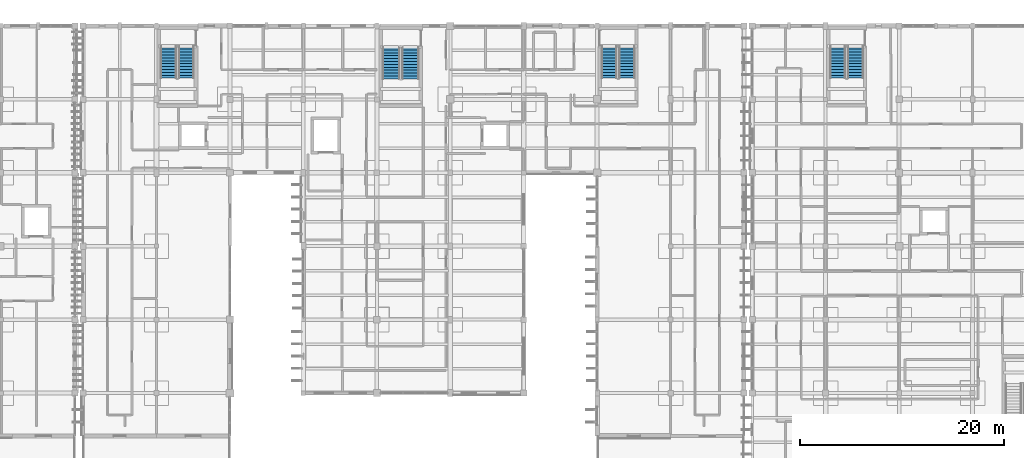
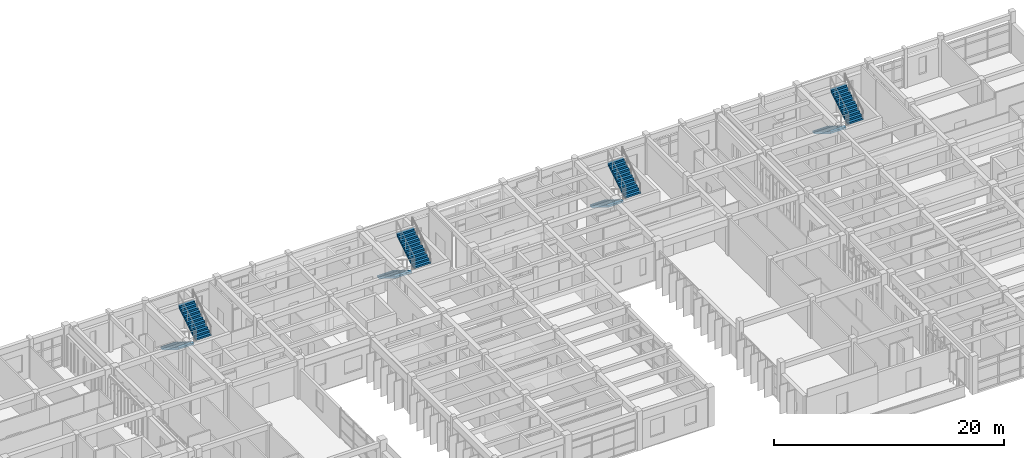
# One storey, part 44 of 55: 8 stair flights, 4 elements without a shape of their own.
"""IFC4 building model written with IfcOpenShell, lengths in metres."""

import ifcopenshell
import ifcopenshell.guid

model = None  # the IFC model being written
_history = None  # IfcOwnerHistory: only IFC2X3 demands one
_inside = {}  # id of a spatial element -> (the spatial element, [elements in it])
_under = {}  # id of a project, library or spatial element -> (it, [spatial elements below it])
_declared = {}  # id of a project -> (the project, [libraries it declares])
_typed = {}  # id of a type object -> (the type object, [elements of that type])
_made_of = {}  # id of a material, layer set ... -> (it, [elements and type objects made of it])


def new_model(schema):
    """Start an empty IFC model of exactly this schema.

    Asked for "IFC4X3", IfcOpenShell would pick the latest addendum, in which some entities
    have other attributes; the version numbers below select the first issue.
    IFC2X3 requires an IfcOwnerHistory on every rooted entity: one is made here for all.
    """
    global model, _history
    if schema == "IFC4X3":
        model = ifcopenshell.file(schema_version=(4, 3, 0, 0))
    else:
        model = ifcopenshell.file(schema=schema)
    _inside.clear()
    _under.clear()
    _declared.clear()
    _typed.clear()
    _made_of.clear()
    _history = None
    if model.schema == "IFC2X3":
        org = make("IfcOrganization", Name="unknown")
        user = make(
            "IfcPersonAndOrganization",
            ThePerson=make("IfcPerson", FamilyName="unknown"),
            TheOrganization=org,
        )
        app = make(
            "IfcApplication",
            ApplicationDeveloper=org,
            Version="unknown",
            ApplicationFullName="unknown",
            ApplicationIdentifier="unknown",
        )
        _history = make(
            "IfcOwnerHistory",
            OwningUser=user,
            OwningApplication=app,
            ChangeAction="ADDED",
            CreationDate=0,
        )
    return model


def make(cls, **values):
    """One entity of the class cls with the attributes given. An attribute that is None is left unset."""
    return model.create_entity(
        cls, **{name: value for name, value in values.items() if value is not None}
    )


def rooted(cls, **values):
    """An entity with a GlobalId (a new one), such as an element, a storey or a relation."""
    return make(cls, GlobalId=ifcopenshell.guid.new(), OwnerHistory=_history, **values)


def si_unit(unit_type, name, prefix=None):
    """IfcSIUnit, for example si_unit("LENGTHUNIT", "METRE", prefix="MILLI")."""
    return make("IfcSIUnit", UnitType=unit_type, Prefix=prefix, Name=name)


def assignment(units):
    """IfcUnitAssignment: the units of a project."""
    return None if units is None else make("IfcUnitAssignment", Units=units)


def point(xyz):
    """IfcCartesianPoint."""
    return None if xyz is None else make("IfcCartesianPoint", Coordinates=xyz)


def direction(xyz):
    """IfcDirection."""
    return None if xyz is None else make("IfcDirection", DirectionRatios=xyz)


def frame(location, z_axis=None, x_axis=None):
    """IfcAxis2Placement3D, a coordinate frame: its origin and axes. An axis left out is left unset."""
    return make(
        "IfcAxis2Placement3D",
        Location=point(location),
        Axis=direction(z_axis),
        RefDirection=direction(x_axis),
    )


def origin():
    """The frame at (0, 0, 0) with its axes left unset."""
    return frame((0.0, 0.0, 0.0))


def place(relative_to, where):
    """IfcLocalPlacement: puts the frame where relative to a parent placement (None: the world)."""
    return make(
        "IfcLocalPlacement", PlacementRelTo=relative_to, RelativePlacement=where
    )


def context(
    kind, dimensions, precision=None, world=None, true_north=None, identifier=None
):
    """IfcGeometricRepresentationContext, for example the 3D "Model" context."""
    return make(
        "IfcGeometricRepresentationContext",
        ContextIdentifier=identifier,
        ContextType=kind,
        CoordinateSpaceDimension=dimensions,
        Precision=precision,
        WorldCoordinateSystem=world,
        TrueNorth=true_north,
    )


def subcontext(parent, identifier, kind, view, scale=None):
    """IfcGeometricRepresentationSubContext, for example "Body" below "Model"."""
    return make(
        "IfcGeometricRepresentationSubContext",
        ContextIdentifier=identifier,
        ContextType=kind,
        ParentContext=parent,
        TargetScale=scale,
        TargetView=view,
    )


def project(units=None, contexts=None):
    """IfcProject with its units and contexts."""
    return rooted(
        "IfcProject",
        Name="project",
        RepresentationContexts=contexts,
        UnitsInContext=assignment(units),
    )


def spatial(cls, under=None, at=None, **own):
    """A site, building, storey or space (cls), placed at a placement, below another one or the project."""
    s = rooted(cls, ObjectPlacement=at, **own)
    if under is not None:
        _under.setdefault(under.id(), (under, []))[1].append(s)
    return s


def polyline(points):
    """IfcPolyline through the points."""
    return make("IfcPolyline", Points=[point(p) for p in points])


def outline(outer, holes=None, kind="AREA"):
    """IfcArbitraryClosedProfileDef: a profile drawn as a closed curve; with holes, ...WithVoids."""
    if holes is None:
        return make("IfcArbitraryClosedProfileDef", ProfileType=kind, OuterCurve=outer)
    return make(
        "IfcArbitraryProfileDefWithVoids",
        ProfileType=kind,
        OuterCurve=outer,
        InnerCurves=holes,
    )


def extrude(swept, where, along, depth):
    """IfcExtrudedAreaSolid: the profile swept, set in the frame where, extruded along a direction by depth."""
    return make(
        "IfcExtrudedAreaSolid",
        SweptArea=swept,
        Position=where,
        ExtrudedDirection=direction(along),
        Depth=depth,
    )


def shape(context_of_items, identifier, shape_type, items):
    """IfcShapeRepresentation: the items that make up one representation, for example the "Body"."""
    return make(
        "IfcShapeRepresentation",
        ContextOfItems=context_of_items,
        RepresentationIdentifier=identifier,
        RepresentationType=shape_type,
        Items=items,
    )


def material(Name=None, Category=None):
    """IfcMaterial."""
    return make("IfcMaterial", Name=Name, Category=Category)


def made_of(thing, what):
    """Note that an element or type object is made of a material, layer set ...; save() writes the relation."""
    if what is not None:
        _made_of.setdefault(what.id(), (what, []))[1].append(thing)
    return thing


def type_object(cls, material=None, **own):
    """A type object (cls), such as IfcWallType, which elements share."""
    return made_of(rooted(cls, **own), material)


def element(
    cls,
    number,
    at=None,
    inside=None,
    cuts=None,
    type_object=None,
    material=None,
    context=None,
    identifier="Body",
    shape_type=None,
    held_by="IfcProductDefinitionShape",
    body=None,
    shapes=None,
    **own,
):
    """One element of the class cls, such as IfcWall. Its Tag is "e" and its number.

    at: its placement. inside: the storey or other place that contains it. cuts: it is an
    opening in that element (IfcRelVoidsElement). A single representation is given by context,
    identifier, shape_type and body (its items); several are given by shapes. held_by: the class
    of the entity that holds the representations. save() writes the other relations.
    """
    e = rooted(cls, Tag="e%d" % number, ObjectPlacement=at, **own)
    if body is not None:
        shapes = [shape(context, identifier, shape_type, body)]
    if shapes is not None:
        e.Representation = make(held_by, Representations=shapes)
    if inside is not None:
        _inside.setdefault(inside.id(), (inside, []))[1].append(e)
    if cuts is not None:
        rooted(
            "IfcRelVoidsElement", RelatingBuildingElement=cuts, RelatedOpeningElement=e
        )
    if type_object is not None:
        _typed.setdefault(type_object.id(), (type_object, []))[1].append(e)
    return made_of(e, material)


def aggregate(whole, parts):
    """IfcRelAggregates: a whole, such as a stair, and the parts it consists of."""
    return rooted("IfcRelAggregates", RelatingObject=whole, RelatedObjects=parts)


def save(model, path):
    """Write the relations noted so far, then the file.

    IfcRelAggregates (storeys below a building ...), IfcRelContainedInSpatialStructure (elements
    in a storey), IfcRelDefinesByType, IfcRelAssociatesMaterial and IfcRelDeclares: one each for
    every whole, place, type object, material and project.
    """
    for whole, parts in _under.values():
        aggregate(whole, parts)
    for where, things in _inside.values():
        rooted(
            "IfcRelContainedInSpatialStructure",
            RelatedElements=things,
            RelatingStructure=where,
        )
    for kind, things in _typed.values():
        rooted("IfcRelDefinesByType", RelatedObjects=things, RelatingType=kind)
    for what, things in _made_of.values():
        rooted("IfcRelAssociatesMaterial", RelatedObjects=things, RelatingMaterial=what)
    for by, libraries in _declared.values():
        rooted("IfcRelDeclares", RelatingContext=by, RelatedDefinitions=libraries)
    model.write(path)


model = new_model("IFC4")

# Units and contexts
model_context = context("Model", 3, precision=1e-05, world=origin(), true_north=direction((0.0, 1.0)))
body_context = subcontext(model_context, "Body", "Model", "MODEL_VIEW")
ifc_project = project(units=[si_unit("LENGTHUNIT", "METRE"), si_unit("AREAUNIT", "SQUARE_METRE"), si_unit("VOLUMEUNIT", "CUBIC_METRE"), si_unit("PLANEANGLEUNIT", "RADIAN"), si_unit("MASSUNIT", "GRAM", prefix="KILO")], contexts=[model_context])

# Site, building, storey
site_placement = place(None, origin())
site = spatial("IfcSite", under=ifc_project, at=site_placement, CompositionType="ELEMENT")
building_placement = place(site_placement, origin())
building = spatial("IfcBuilding", under=site, at=building_placement, Name="Steenspoor Specialist Clinic", CompositionType="ELEMENT")
storey_placement = place(building_placement, frame((0.0, 0.0, 13.199951171875)))
storey = spatial("IfcBuildingStorey", under=building, at=storey_placement, Name="L03", CompositionType="ELEMENT", Elevation=13.199951171875)

# Stair, stair flights
ifc_material = material(Name="Concrete C35/45", Category="concrete")
stair_type_1 = type_object("IfcStairType", Name="ST-CORE-TYP", PredefinedType="HALF_TURN_STAIR", material=ifc_material)
stair_1_placement = place(storey_placement, origin())
stair_1 = element("IfcStair", 1, at=stair_1_placement, inside=storey, type_object=stair_type_1, Name="L03 Enclosed Exit Stair ST-V4A", PredefinedType="HALF_TURN_STAIR")
stair_flight_type_1 = type_object("IfcStairFlightType", Name="FL-CORE-TYP", PredefinedType="STRAIGHT", material=ifc_material)
stair_flight_1_placement = place(storey_placement, frame((60.77490234375, 106.35009765625, 0.0), z_axis=(0.0, 0.0, 1.0), x_axis=(0.0, -1.0, 0.0)))
stair_flight_1 = element("IfcStairFlight", 2, at=stair_flight_1_placement, type_object=stair_flight_type_1, Name="ST-V4A flight 1", NumberOfRisers=12, NumberOfTreads=11, PredefinedType="STRAIGHT", RiserHeight=0.175, TreadLength=0.285, context=body_context, shape_type="SweptSolid", body=[
    extrude(outline(polyline([(0.0, 0.0), (0.0, 0.175048828125), (0.284912109375, 0.175048828125), (0.284912109375, 0.35009765625), (0.570068359375, 0.35009765625), (0.570068359375, 0.52490234375), (0.85498046875, 0.52490234375), (0.85498046875, 0.699951171875), (1.139892578125, 0.699951171875), (1.139892578125, 0.875), (1.425048828125, 0.875), (1.425048828125, 1.050048828125), (1.7099609375, 1.050048828125), (1.7099609375, 1.22509765625), (1.9951171875, 1.22509765625), (1.9951171875, 1.39990234375), (2.280029296875, 1.39990234375), (2.280029296875, 1.574951171875), (2.56494140625, 1.574951171875), (2.56494140625, 1.75), (2.85009765625, 1.75), (2.85009765625, 1.925048828125), (3.135009765625, 1.925048828125), (3.135009765625, 2.10009765625), (3.135009765625, 1.7373046875), (0.3056640625, 0.0), (0.0, 0.0)])), frame((0.0, 0.77490234375, 0.0), z_axis=(0.0, -1.0, 0.0), x_axis=(1.0, 0.0, 0.0)), (0.0, 0.0, 1.0), 1.550048828125),
])
stair_flight_2_placement = place(storey_placement, frame((62.52490234375, 103.215087890625, 2.10009765625), z_axis=(0.0, 0.0, 1.0), x_axis=(0.0, 1.0, 0.0)))
stair_flight_2 = element("IfcStairFlight", 3, at=stair_flight_2_placement, type_object=stair_flight_type_1, Name="ST-V4A flight 2", NumberOfRisers=12, NumberOfTreads=11, PredefinedType="STRAIGHT", RiserHeight=0.175, TreadLength=0.285, context=body_context, shape_type="SweptSolid", body=[
    extrude(outline(polyline([(0.0, 0.0), (0.0, 0.175048828125), (0.284912109375, 0.175048828125), (0.284912109375, 0.35009765625), (0.570068359375, 0.35009765625), (0.570068359375, 0.52490234375), (0.85498046875, 0.52490234375), (0.85498046875, 0.699951171875), (1.139892578125, 0.699951171875), (1.139892578125, 0.875), (1.425048828125, 0.875), (1.425048828125, 1.050048828125), (1.7099609375, 1.050048828125), (1.7099609375, 1.22509765625), (1.9951171875, 1.22509765625), (1.9951171875, 1.39990234375), (2.280029296875, 1.39990234375), (2.280029296875, 1.574951171875), (2.56494140625, 1.574951171875), (2.56494140625, 1.75), (2.85009765625, 1.75), (2.85009765625, 1.925048828125), (3.135009765625, 1.925048828125), (3.135009765625, 2.10009765625), (3.135009765625, 1.7373046875), (0.3056640625, 0.0), (0.0, 0.0)])), frame((0.0, 0.77490234375, 0.0), z_axis=(0.0, -1.0, 0.0), x_axis=(1.0, 0.0, 0.0)), (0.0, 0.0, 1.0), 1.550048828125),
])
aggregate(stair_1, [stair_flight_1, stair_flight_2])

stair_2_placement = place(storey_placement, origin())
stair_2 = element("IfcStair", 4, at=stair_2_placement, inside=storey, type_object=stair_type_1, Name="L03 Enclosed Exit Stair ST-V4B", PredefinedType="HALF_TURN_STAIR")
stair_flight_3_placement = place(storey_placement, frame((103.97509765625, 106.35009765625, 0.0), z_axis=(0.0, 0.0, 1.0), x_axis=(0.0, -1.0, 0.0)))
stair_flight_3 = element("IfcStairFlight", 5, at=stair_flight_3_placement, type_object=stair_flight_type_1, Name="ST-V4B flight 1", NumberOfRisers=12, NumberOfTreads=11, PredefinedType="STRAIGHT", RiserHeight=0.175, TreadLength=0.285, context=body_context, shape_type="SweptSolid", body=[
    extrude(outline(polyline([(0.0, 0.0), (0.0, 0.175048828125), (0.284912109375, 0.175048828125), (0.284912109375, 0.35009765625), (0.570068359375, 0.35009765625), (0.570068359375, 0.52490234375), (0.85498046875, 0.52490234375), (0.85498046875, 0.699951171875), (1.139892578125, 0.699951171875), (1.139892578125, 0.875), (1.425048828125, 0.875), (1.425048828125, 1.050048828125), (1.7099609375, 1.050048828125), (1.7099609375, 1.22509765625), (1.9951171875, 1.22509765625), (1.9951171875, 1.39990234375), (2.280029296875, 1.39990234375), (2.280029296875, 1.574951171875), (2.56494140625, 1.574951171875), (2.56494140625, 1.75), (2.85009765625, 1.75), (2.85009765625, 1.925048828125), (3.135009765625, 1.925048828125), (3.135009765625, 2.10009765625), (3.135009765625, 1.7373046875), (0.3056640625, 0.0), (0.0, 0.0)])), frame((0.0, 0.77490234375, 0.0), z_axis=(0.0, -1.0, 0.0), x_axis=(1.0, 0.0, 0.0)), (0.0, 0.0, 1.0), 1.550048828125),
])
stair_flight_4_placement = place(storey_placement, frame((105.72509765625, 103.215087890625, 2.10009765625), z_axis=(0.0, 0.0, 1.0), x_axis=(0.0, 1.0, 0.0)))
stair_flight_4 = element("IfcStairFlight", 6, at=stair_flight_4_placement, type_object=stair_flight_type_1, Name="ST-V4B flight 2", NumberOfRisers=12, NumberOfTreads=11, PredefinedType="STRAIGHT", RiserHeight=0.175, TreadLength=0.285, context=body_context, shape_type="SweptSolid", body=[
    extrude(outline(polyline([(0.0, 0.0), (0.0, 0.175048828125), (0.284912109375, 0.175048828125), (0.284912109375, 0.35009765625), (0.570068359375, 0.35009765625), (0.570068359375, 0.52490234375), (0.85498046875, 0.52490234375), (0.85498046875, 0.699951171875), (1.139892578125, 0.699951171875), (1.139892578125, 0.875), (1.425048828125, 0.875), (1.425048828125, 1.050048828125), (1.7099609375, 1.050048828125), (1.7099609375, 1.22509765625), (1.9951171875, 1.22509765625), (1.9951171875, 1.39990234375), (2.280029296875, 1.39990234375), (2.280029296875, 1.574951171875), (2.56494140625, 1.574951171875), (2.56494140625, 1.75), (2.85009765625, 1.75), (2.85009765625, 1.925048828125), (3.135009765625, 1.925048828125), (3.135009765625, 2.10009765625), (3.135009765625, 1.7373046875), (0.3056640625, 0.0), (0.0, 0.0)])), frame((0.0, 0.77490234375, 0.0), z_axis=(0.0, -1.0, 0.0), x_axis=(1.0, 0.0, 0.0)), (0.0, 0.0, 1.0), 1.550048828125),
])
aggregate(stair_2, [stair_flight_3, stair_flight_4])

stair_3_placement = place(storey_placement, origin())
stair_3 = element("IfcStair", 7, at=stair_3_placement, inside=storey, type_object=stair_type_1, Name="L03 Enclosed Exit Stair ST-V6A", PredefinedType="HALF_TURN_STAIR")
stair_flight_5_placement = place(storey_placement, frame((126.375, 106.35009765625, 0.0), z_axis=(0.0, 0.0, 1.0), x_axis=(0.0, -1.0, 0.0)))
stair_flight_5 = element("IfcStairFlight", 8, at=stair_flight_5_placement, type_object=stair_flight_type_1, Name="ST-V6A flight 1", NumberOfRisers=12, NumberOfTreads=11, PredefinedType="STRAIGHT", RiserHeight=0.175, TreadLength=0.285, context=body_context, shape_type="SweptSolid", body=[
    extrude(outline(polyline([(0.0, 0.0), (0.0, 0.175048828125), (0.284912109375, 0.175048828125), (0.284912109375, 0.35009765625), (0.570068359375, 0.35009765625), (0.570068359375, 0.52490234375), (0.85498046875, 0.52490234375), (0.85498046875, 0.699951171875), (1.139892578125, 0.699951171875), (1.139892578125, 0.875), (1.425048828125, 0.875), (1.425048828125, 1.050048828125), (1.7099609375, 1.050048828125), (1.7099609375, 1.22509765625), (1.9951171875, 1.22509765625), (1.9951171875, 1.39990234375), (2.280029296875, 1.39990234375), (2.280029296875, 1.574951171875), (2.56494140625, 1.574951171875), (2.56494140625, 1.75), (2.85009765625, 1.75), (2.85009765625, 1.925048828125), (3.135009765625, 1.925048828125), (3.135009765625, 2.10009765625), (3.135009765625, 1.7373046875), (0.3056640625, 0.0), (0.0, 0.0)])), frame((0.0, 0.77490234375, 0.0), z_axis=(0.0, -1.0, 0.0), x_axis=(1.0, 0.0, 0.0)), (0.0, 0.0, 1.0), 1.550048828125),
])
stair_flight_6_placement = place(storey_placement, frame((128.125, 103.215087890625, 2.10009765625), z_axis=(0.0, 0.0, 1.0), x_axis=(0.0, 1.0, 0.0)))
stair_flight_6 = element("IfcStairFlight", 9, at=stair_flight_6_placement, type_object=stair_flight_type_1, Name="ST-V6A flight 2", NumberOfRisers=12, NumberOfTreads=11, PredefinedType="STRAIGHT", RiserHeight=0.175, TreadLength=0.285, context=body_context, shape_type="SweptSolid", body=[
    extrude(outline(polyline([(0.0, 0.0), (0.0, 0.175048828125), (0.284912109375, 0.175048828125), (0.284912109375, 0.35009765625), (0.570068359375, 0.35009765625), (0.570068359375, 0.52490234375), (0.85498046875, 0.52490234375), (0.85498046875, 0.699951171875), (1.139892578125, 0.699951171875), (1.139892578125, 0.875), (1.425048828125, 0.875), (1.425048828125, 1.050048828125), (1.7099609375, 1.050048828125), (1.7099609375, 1.22509765625), (1.9951171875, 1.22509765625), (1.9951171875, 1.39990234375), (2.280029296875, 1.39990234375), (2.280029296875, 1.574951171875), (2.56494140625, 1.574951171875), (2.56494140625, 1.75), (2.85009765625, 1.75), (2.85009765625, 1.925048828125), (3.135009765625, 1.925048828125), (3.135009765625, 2.10009765625), (3.135009765625, 1.7373046875), (0.3056640625, 0.0), (0.0, 0.0)])), frame((0.0, 0.77490234375, 0.0), z_axis=(0.0, -1.0, 0.0), x_axis=(1.0, 0.0, 0.0)), (0.0, 0.0, 1.0), 1.550048828125),
])
aggregate(stair_3, [stair_flight_5, stair_flight_6])

stair_type_2 = type_object("IfcStairType", Name="ST-CORE-WD", PredefinedType="HALF_TURN_STAIR", material=ifc_material)
stair_4_placement = place(storey_placement, origin())
stair_4 = element("IfcStair", 10, at=stair_4_placement, inside=storey, type_object=stair_type_2, Name="L03 Enclosed Exit Stair ST-V4C", PredefinedType="HALF_TURN_STAIR")
stair_flight_type_2 = type_object("IfcStairFlightType", Name="FL-CORE-WD", PredefinedType="STRAIGHT", material=ifc_material)
stair_flight_7_placement = place(storey_placement, frame((82.60009765625, 106.280029296875, 0.0), z_axis=(0.0, 0.0, 1.0), x_axis=(0.0, -1.0, 0.0)))
stair_flight_7 = element("IfcStairFlight", 11, at=stair_flight_7_placement, type_object=stair_flight_type_2, Name="ST-V4C flight 1", NumberOfRisers=12, NumberOfTreads=11, PredefinedType="STRAIGHT", RiserHeight=0.175, TreadLength=0.285, context=body_context, shape_type="SweptSolid", body=[
    extrude(outline(polyline([(0.0, 0.0), (0.0, 0.175048828125), (0.284912109375, 0.175048828125), (0.284912109375, 0.35009765625), (0.570068359375, 0.35009765625), (0.570068359375, 0.52490234375), (0.85498046875, 0.52490234375), (0.85498046875, 0.699951171875), (1.139892578125, 0.699951171875), (1.139892578125, 0.875), (1.425048828125, 0.875), (1.425048828125, 1.050048828125), (1.7099609375, 1.050048828125), (1.7099609375, 1.22509765625), (1.9951171875, 1.22509765625), (1.9951171875, 1.39990234375), (2.280029296875, 1.39990234375), (2.280029296875, 1.574951171875), (2.56494140625, 1.574951171875), (2.56494140625, 1.75), (2.85009765625, 1.75), (2.85009765625, 1.925048828125), (3.135009765625, 1.925048828125), (3.135009765625, 2.10009765625), (3.135009765625, 1.7373046875), (0.3056640625, 0.0), (0.0, 0.0)])), frame((0.0, 0.85009765625, 0.0), z_axis=(0.0, -1.0, 0.0), x_axis=(1.0, 0.0, 0.0)), (0.0, 0.0, 1.0), 1.699951171875),
])
stair_flight_8_placement = place(storey_placement, frame((84.5, 103.14501953125, 2.10009765625), z_axis=(0.0, 0.0, 1.0), x_axis=(0.0, 1.0, 0.0)))
stair_flight_8 = element("IfcStairFlight", 12, at=stair_flight_8_placement, type_object=stair_flight_type_2, Name="ST-V4C flight 2", NumberOfRisers=12, NumberOfTreads=11, PredefinedType="STRAIGHT", RiserHeight=0.175, TreadLength=0.285, context=body_context, shape_type="SweptSolid", body=[
    extrude(outline(polyline([(0.0, 0.0), (0.0, 0.175048828125), (0.284912109375, 0.175048828125), (0.284912109375, 0.35009765625), (0.570068359375, 0.35009765625), (0.570068359375, 0.52490234375), (0.85498046875, 0.52490234375), (0.85498046875, 0.699951171875), (1.139892578125, 0.699951171875), (1.139892578125, 0.875), (1.425048828125, 0.875), (1.425048828125, 1.050048828125), (1.7099609375, 1.050048828125), (1.7099609375, 1.22509765625), (1.9951171875, 1.22509765625), (1.9951171875, 1.39990234375), (2.280029296875, 1.39990234375), (2.280029296875, 1.574951171875), (2.56494140625, 1.574951171875), (2.56494140625, 1.75), (2.85009765625, 1.75), (2.85009765625, 1.925048828125), (3.135009765625, 1.925048828125), (3.135009765625, 2.10009765625), (3.135009765625, 1.7373046875), (0.3056640625, 0.0), (0.0, 0.0)])), frame((0.0, 0.85009765625, 0.0), z_axis=(0.0, -1.0, 0.0), x_axis=(1.0, 0.0, 0.0)), (0.0, 0.0, 1.0), 1.699951171875),
])
aggregate(stair_4, [stair_flight_7, stair_flight_8])

save(model, "model.ifc")
